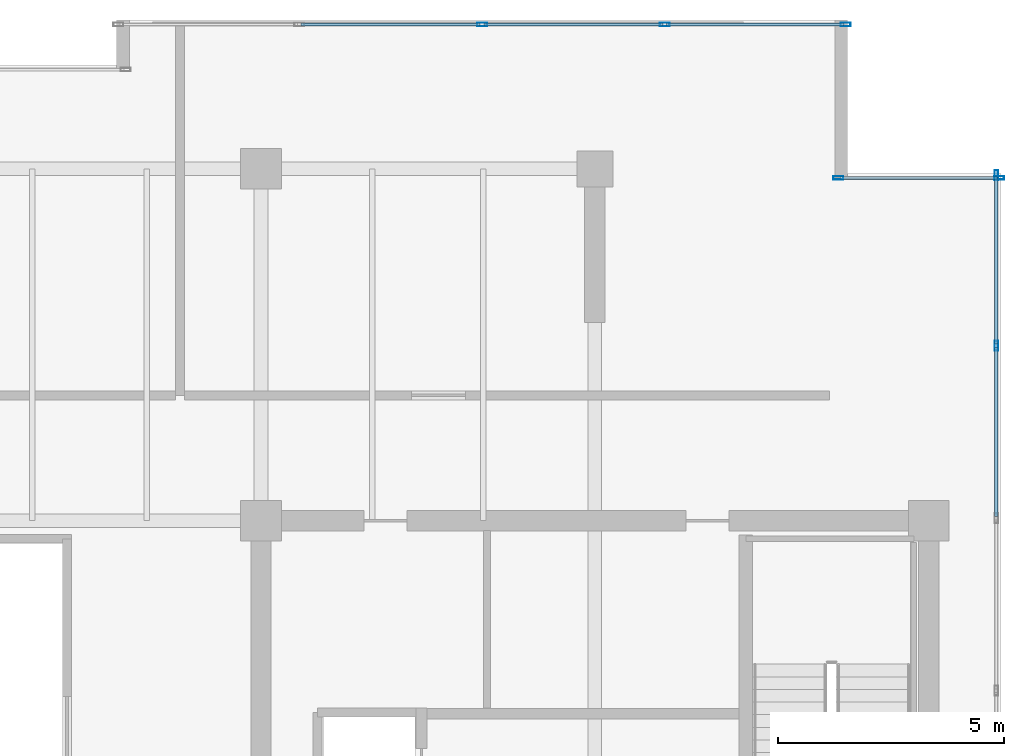
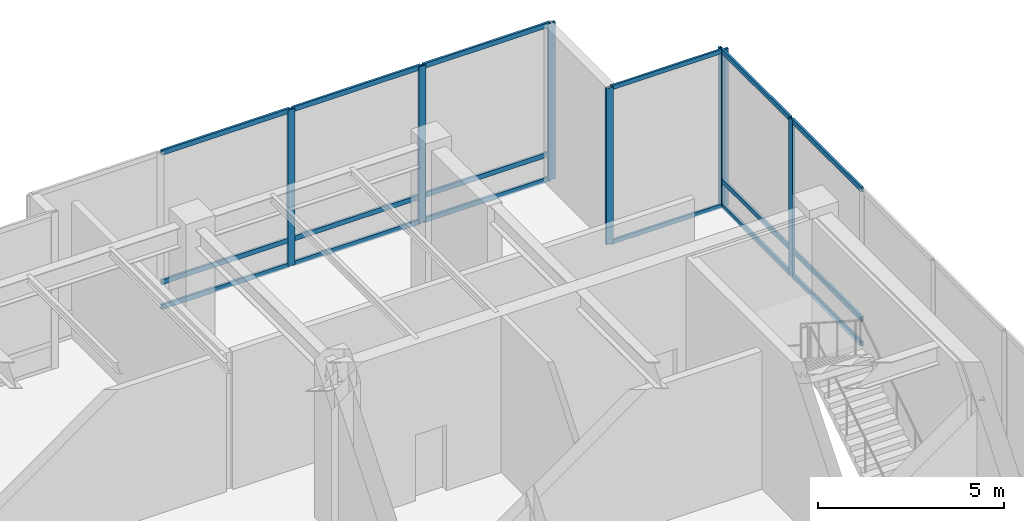
# One storey, part 22 of 30: 24 members, 3 elements without a shape of their own.
"""IFC4 building model written with IfcOpenShell, lengths in metres."""

import ifcopenshell
import ifcopenshell.guid

model = None  # the IFC model being written
_history = None  # IfcOwnerHistory: only IFC2X3 demands one
_inside = {}  # id of a spatial element -> (the spatial element, [elements in it])
_under = {}  # id of a project, library or spatial element -> (it, [spatial elements below it])
_declared = {}  # id of a project -> (the project, [libraries it declares])
_typed = {}  # id of a type object -> (the type object, [elements of that type])
_made_of = {}  # id of a material, layer set ... -> (it, [elements and type objects made of it])


def new_model(schema):
    """Start an empty IFC model of exactly this schema.

    Asked for "IFC4X3", IfcOpenShell would pick the latest addendum, in which some entities
    have other attributes; the version numbers below select the first issue.
    IFC2X3 requires an IfcOwnerHistory on every rooted entity: one is made here for all.
    """
    global model, _history
    if schema == "IFC4X3":
        model = ifcopenshell.file(schema_version=(4, 3, 0, 0))
    else:
        model = ifcopenshell.file(schema=schema)
    _inside.clear()
    _under.clear()
    _declared.clear()
    _typed.clear()
    _made_of.clear()
    _history = None
    if model.schema == "IFC2X3":
        org = make("IfcOrganization", Name="unknown")
        user = make(
            "IfcPersonAndOrganization",
            ThePerson=make("IfcPerson", FamilyName="unknown"),
            TheOrganization=org,
        )
        app = make(
            "IfcApplication",
            ApplicationDeveloper=org,
            Version="unknown",
            ApplicationFullName="unknown",
            ApplicationIdentifier="unknown",
        )
        _history = make(
            "IfcOwnerHistory",
            OwningUser=user,
            OwningApplication=app,
            ChangeAction="ADDED",
            CreationDate=0,
        )
    return model


def make(cls, **values):
    """One entity of the class cls with the attributes given. An attribute that is None is left unset."""
    return model.create_entity(
        cls, **{name: value for name, value in values.items() if value is not None}
    )


def rooted(cls, **values):
    """An entity with a GlobalId (a new one), such as an element, a storey or a relation."""
    return make(cls, GlobalId=ifcopenshell.guid.new(), OwnerHistory=_history, **values)


def si_unit(unit_type, name, prefix=None):
    """IfcSIUnit, for example si_unit("LENGTHUNIT", "METRE", prefix="MILLI")."""
    return make("IfcSIUnit", UnitType=unit_type, Prefix=prefix, Name=name)


def assignment(units):
    """IfcUnitAssignment: the units of a project."""
    return None if units is None else make("IfcUnitAssignment", Units=units)


def point(xyz):
    """IfcCartesianPoint."""
    return None if xyz is None else make("IfcCartesianPoint", Coordinates=xyz)


def direction(xyz):
    """IfcDirection."""
    return None if xyz is None else make("IfcDirection", DirectionRatios=xyz)


def frame(location, z_axis=None, x_axis=None):
    """IfcAxis2Placement3D, a coordinate frame: its origin and axes. An axis left out is left unset."""
    return make(
        "IfcAxis2Placement3D",
        Location=point(location),
        Axis=direction(z_axis),
        RefDirection=direction(x_axis),
    )


def frame_2d(location, x_axis=None):
    """IfcAxis2Placement2D, a coordinate frame in the plane: its origin and x axis."""
    return make(
        "IfcAxis2Placement2D", Location=point(location), RefDirection=direction(x_axis)
    )


def origin():
    """The frame at (0, 0, 0) with its axes left unset."""
    return frame((0.0, 0.0, 0.0))


def origin_2d():
    """The frame at (0, 0) in the plane with its x axis left unset."""
    return frame_2d((0.0, 0.0))


def place(relative_to, where):
    """IfcLocalPlacement: puts the frame where relative to a parent placement (None: the world)."""
    return make(
        "IfcLocalPlacement", PlacementRelTo=relative_to, RelativePlacement=where
    )


def context(
    kind, dimensions, precision=None, world=None, true_north=None, identifier=None
):
    """IfcGeometricRepresentationContext, for example the 3D "Model" context."""
    return make(
        "IfcGeometricRepresentationContext",
        ContextIdentifier=identifier,
        ContextType=kind,
        CoordinateSpaceDimension=dimensions,
        Precision=precision,
        WorldCoordinateSystem=world,
        TrueNorth=true_north,
    )


def subcontext(parent, identifier, kind, view, scale=None):
    """IfcGeometricRepresentationSubContext, for example "Body" below "Model"."""
    return make(
        "IfcGeometricRepresentationSubContext",
        ContextIdentifier=identifier,
        ContextType=kind,
        ParentContext=parent,
        TargetScale=scale,
        TargetView=view,
    )


def project(units=None, contexts=None):
    """IfcProject with its units and contexts."""
    return rooted(
        "IfcProject",
        Name="project",
        RepresentationContexts=contexts,
        UnitsInContext=assignment(units),
    )


def spatial(cls, under=None, at=None, **own):
    """A site, building, storey or space (cls), placed at a placement, below another one or the project."""
    s = rooted(cls, ObjectPlacement=at, **own)
    if under is not None:
        _under.setdefault(under.id(), (under, []))[1].append(s)
    return s


def profile(cls, at=None, kind="AREA", **sizes):
    """A parametric profile (cls). Its sizes go by their IFC names, for example OverallWidth=200.0."""
    return make(cls, ProfileType=kind, Position=at, **sizes)


def hollow_rectangle(**sizes):
    """IfcRectangleHollowProfileDef."""
    return profile("IfcRectangleHollowProfileDef", **sizes)


def extrude(swept, where, along, depth):
    """IfcExtrudedAreaSolid: the profile swept, set in the frame where, extruded along a direction by depth."""
    return make(
        "IfcExtrudedAreaSolid",
        SweptArea=swept,
        Position=where,
        ExtrudedDirection=direction(along),
        Depth=depth,
    )


def shape(context_of_items, identifier, shape_type, items):
    """IfcShapeRepresentation: the items that make up one representation, for example the "Body"."""
    return make(
        "IfcShapeRepresentation",
        ContextOfItems=context_of_items,
        RepresentationIdentifier=identifier,
        RepresentationType=shape_type,
        Items=items,
    )


def source(mapping_origin, context_of_items, identifier, shape_type, items):
    """IfcRepresentationMap: a shape defined once, which mapped items show again and again."""
    return make(
        "IfcRepresentationMap",
        MappingOrigin=mapping_origin,
        MappedRepresentation=shape(context_of_items, identifier, shape_type, items),
    )


def transform(
    local_origin,
    x_axis=None,
    y_axis=None,
    z_axis=None,
    scale=None,
    scale2=None,
    scale3=None,
    uniform=True,
):
    """IfcCartesianTransformationOperator3D, or its non-uniform kind. x_axis, y_axis, z_axis: its Axis1, 2, 3."""
    if uniform:
        return make(
            "IfcCartesianTransformationOperator3D",
            Axis1=direction(x_axis),
            Axis2=direction(y_axis),
            LocalOrigin=point(local_origin),
            Scale=scale,
            Axis3=direction(z_axis),
        )
    return make(
        "IfcCartesianTransformationOperator3DnonUniform",
        Axis1=direction(x_axis),
        Axis2=direction(y_axis),
        LocalOrigin=point(local_origin),
        Scale=scale,
        Axis3=direction(z_axis),
        Scale2=scale2,
        Scale3=scale3,
    )


def mapped(mapping_source, mapping_target):
    """IfcMappedItem: shows the shape of a source again, moved by a transform."""
    return make(
        "IfcMappedItem", MappingSource=mapping_source, MappingTarget=mapping_target
    )


def material(Name=None, Category=None):
    """IfcMaterial."""
    return make("IfcMaterial", Name=Name, Category=Category)


def layer(
    of_material, thickness, ventilated=None, Name=None, Category=None, Priority=None
):
    """IfcMaterialLayer: one layer of a wall or slab, of a material (None: an air gap)."""
    return make(
        "IfcMaterialLayer",
        Material=of_material,
        LayerThickness=thickness,
        IsVentilated=ventilated,
        Name=Name,
        Category=Category,
        Priority=Priority,
    )


def layer_set(layers, Name=None):
    """IfcMaterialLayerSet."""
    return make("IfcMaterialLayerSet", MaterialLayers=layers, LayerSetName=Name)


def material_profile(
    of_material, cross_section, Name=None, Category=None, Priority=None
):
    """IfcMaterialProfile: a cross section and its material."""
    return make(
        "IfcMaterialProfile",
        Name=Name,
        Material=of_material,
        Profile=cross_section,
        Priority=Priority,
        Category=Category,
    )


def profile_set(profiles, Name=None, composite=None):
    """IfcMaterialProfileSet."""
    return make(
        "IfcMaterialProfileSet",
        Name=Name,
        MaterialProfiles=profiles,
        CompositeProfile=composite,
    )


def made_of(thing, what):
    """Note that an element or type object is made of a material, layer set ...; save() writes the relation."""
    if what is not None:
        _made_of.setdefault(what.id(), (what, []))[1].append(thing)
    return thing


def type_object(cls, material=None, **own):
    """A type object (cls), such as IfcWallType, which elements share."""
    return made_of(rooted(cls, **own), material)


def type_shapes(of_type, sources):
    """Give a type object the sources (RepresentationMaps) that its elements show as mapped items."""
    of_type.RepresentationMaps = sources


def element(
    cls,
    number,
    at=None,
    inside=None,
    cuts=None,
    type_object=None,
    material=None,
    context=None,
    identifier="Body",
    shape_type=None,
    held_by="IfcProductDefinitionShape",
    body=None,
    shapes=None,
    **own,
):
    """One element of the class cls, such as IfcWall. Its Tag is "e" and its number.

    at: its placement. inside: the storey or other place that contains it. cuts: it is an
    opening in that element (IfcRelVoidsElement). A single representation is given by context,
    identifier, shape_type and body (its items); several are given by shapes. held_by: the class
    of the entity that holds the representations. save() writes the other relations.
    """
    e = rooted(cls, Tag="e%d" % number, ObjectPlacement=at, **own)
    if body is not None:
        shapes = [shape(context, identifier, shape_type, body)]
    if shapes is not None:
        e.Representation = make(held_by, Representations=shapes)
    if inside is not None:
        _inside.setdefault(inside.id(), (inside, []))[1].append(e)
    if cuts is not None:
        rooted(
            "IfcRelVoidsElement", RelatingBuildingElement=cuts, RelatedOpeningElement=e
        )
    if type_object is not None:
        _typed.setdefault(type_object.id(), (type_object, []))[1].append(e)
    return made_of(e, material)


def aggregate(whole, parts):
    """IfcRelAggregates: a whole, such as a stair, and the parts it consists of."""
    return rooted("IfcRelAggregates", RelatingObject=whole, RelatedObjects=parts)


def save(model, path):
    """Write the relations noted so far, then the file.

    IfcRelAggregates (storeys below a building ...), IfcRelContainedInSpatialStructure (elements
    in a storey), IfcRelDefinesByType, IfcRelAssociatesMaterial and IfcRelDeclares: one each for
    every whole, place, type object, material and project.
    """
    for whole, parts in _under.values():
        aggregate(whole, parts)
    for where, things in _inside.values():
        rooted(
            "IfcRelContainedInSpatialStructure",
            RelatedElements=things,
            RelatingStructure=where,
        )
    for kind, things in _typed.values():
        rooted("IfcRelDefinesByType", RelatedObjects=things, RelatingType=kind)
    for what, things in _made_of.values():
        rooted("IfcRelAssociatesMaterial", RelatedObjects=things, RelatingMaterial=what)
    for by, libraries in _declared.values():
        rooted("IfcRelDeclares", RelatingContext=by, RelatedDefinitions=libraries)
    model.write(path)


model = new_model("IFC4")

# Units and contexts
model_context = context("Model", 3, precision=1e-05, world=origin(), true_north=direction((0.0, 1.0)))
body_context = subcontext(model_context, "Body", "Model", "MODEL_VIEW")
ifc_project = project(units=[si_unit("LENGTHUNIT", "METRE"), si_unit("AREAUNIT", "SQUARE_METRE"), si_unit("VOLUMEUNIT", "CUBIC_METRE"), si_unit("PLANEANGLEUNIT", "RADIAN"), si_unit("MASSUNIT", "GRAM", prefix="KILO")], contexts=[model_context])

# Site, building, storey
site_placement = place(None, origin())
site = spatial("IfcSite", under=ifc_project, at=site_placement, CompositionType="ELEMENT")
building_placement = place(site_placement, origin())
building = spatial("IfcBuilding", under=site, at=building_placement, Name="Haelvirn Gate Laboratories", CompositionType="ELEMENT")
storey_placement = place(building_placement, frame((0.0, 0.0, 327.0)))
storey = spatial("IfcBuildingStorey", under=building, at=storey_placement, Name="L78", CompositionType="ELEMENT", Elevation=327.0)

# Curtain wall, members
ifc_material_1 = material(Name="Anodised bronze unitised aluminium & triple low-E glass", Category="aluminium")
ifc_layer_1 = layer(ifc_material_1, 0.181884765625, Name="CW-SYS-5")
ifc_layer_set_1 = layer_set([ifc_layer_1], Name="Anodised bronze unitised aluminium & triple low-E glass")
curtain_wall_type_1 = type_object("IfcCurtainWallType", Name="CW-SYS-5", PredefinedType="NOTDEFINED", material=ifc_layer_set_1)
curtain_wall_1_placement = place(storey_placement, origin())
curtain_wall_1 = element("IfcCurtainWall", 1, at=curtain_wall_1_placement, inside=storey, type_object=curtain_wall_type_1, Name="L78 Unitised Curtain Wall CW-L78-P0-E08-1", PredefinedType="NOTDEFINED")
ifc_material_2 = material(Name="Extruded aluminium 6063-T6 (anodised bronze)", Category="aluminium")
ifc_material_profile_1 = material_profile(ifc_material_2, hollow_rectangle(XDim=0.06494140625, YDim=0.139892578125, WallThickness=0.00390625, at=origin_2d()), Name="CWT-140x65x4")
ifc_profile_set_1 = profile_set([ifc_material_profile_1], Name="Extruded aluminium 6063-T6 (anodised bronze)")
member_type_1 = type_object("IfcMemberType", Name="CWT-T140", PredefinedType="USERDEFINED", material=ifc_profile_set_1)
shared_shape_1 = source(origin(), body_context, "Body", "SweptSolid", [
    extrude(hollow_rectangle(XDim=0.06494140625, YDim=0.139892578125, WallThickness=0.00390625, at=origin_2d()), origin(), (0.0, 0.0, 1.0), 3.47998046875),
])
type_shapes(member_type_1, [shared_shape_1])
member_1_placement = place(storey_placement, frame((65.43994140625, 41.39990234375, 0.032470703125), z_axis=(1.0, 0.0, 0.0), x_axis=(0.0, 1.0, 0.0)))
member_1 = element("IfcMember", 2, at=member_1_placement, type_object=member_type_1, Name="CW5 transom 1.1", ObjectType="TRANSOM", PredefinedType="USERDEFINED", context=body_context, shape_type="MappedRepresentation", body=[
    mapped(shared_shape_1, transform((0.0, 0.0, 0.0), scale=1.0)),
])
member_2_placement = place(storey_placement, frame((65.43994140625, 41.39990234375, 5.08740234375), z_axis=(1.0, 0.0, 0.0), x_axis=(0.0, 1.0, 0.0)))
member_2 = element("IfcMember", 3, at=member_2_placement, type_object=member_type_1, Name="CW5 transom 1.2", ObjectType="TRANSOM", PredefinedType="USERDEFINED", context=body_context, shape_type="MappedRepresentation", body=[
    mapped(shared_shape_1, transform((0.0, 0.0, 0.0), scale=1.0)),
])

ifc_layer_2 = layer(ifc_material_1, 0.19189453125, Name="CW-SYS-6")
ifc_layer_set_2 = layer_set([ifc_layer_2], Name="Anodised bronze unitised aluminium & triple low-E glass")
curtain_wall_type_2 = type_object("IfcCurtainWallType", Name="CW-SYS-6", PredefinedType="NOTDEFINED", material=ifc_layer_set_2)
curtain_wall_2_placement = place(storey_placement, origin())
curtain_wall_2 = element("IfcCurtainWall", 4, at=curtain_wall_2_placement, inside=storey, type_object=curtain_wall_type_2, Name="L78 Unitised Curtain Wall CW-L78-P0-E07", PredefinedType="NOTDEFINED")
ifc_material_profile_2 = material_profile(ifc_material_2, hollow_rectangle(XDim=0.080078125, YDim=0.219970703125, WallThickness=0.006103515625, at=origin_2d()), Name="CWM-220x80x6")
ifc_profile_set_2 = profile_set([ifc_material_profile_2], Name="Extruded aluminium 6063-T6 (anodised bronze)")
member_type_2 = type_object("IfcMemberType", Name="CWM-T220", PredefinedType="MULLION", material=ifc_profile_set_2)
shared_shape_2 = source(origin(), body_context, "Body", "SweptSolid", [
    extrude(hollow_rectangle(XDim=0.080078125, YDim=0.219970703125, WallThickness=0.006103515625, at=origin_2d()), origin(), (0.0, 0.0, 1.0), 5.1201171875),
])
type_shapes(member_type_2, [shared_shape_2])
member_3_placement = place(storey_placement, frame((68.89990234375, 37.677734375, 0.0), z_axis=(0.0, 0.0, 1.0), x_axis=(-1.0, 0.0, 0.0)))
member_3 = element("IfcMember", 5, at=member_3_placement, type_object=member_type_2, Name="CW6 mullion 9", PredefinedType="MULLION", context=body_context, shape_type="MappedRepresentation", body=[
    mapped(shared_shape_2, transform((0.0, 0.0, 0.0), scale=1.0)),
])
member_4_placement = place(storey_placement, frame((68.89990234375, 41.4599609375, 0.0), z_axis=(0.0, 0.0, 1.0), x_axis=(-1.0, 0.0, 0.0)))
member_4 = element("IfcMember", 6, at=member_4_placement, type_object=member_type_2, Name="CW6 mullion 10", PredefinedType="MULLION", context=body_context, shape_type="MappedRepresentation", body=[
    mapped(shared_shape_2, transform((0.0, 0.0, 0.0), scale=1.0)),
])

# Member
member_5_placement = place(storey_placement, frame((65.39990234375, 41.39990234375, 0.0), z_axis=(0.0, 0.0, 1.0), x_axis=(0.0, 1.0, 0.0)))
member_5 = element("IfcMember", 7, at=member_5_placement, type_object=member_type_2, Name="CW5 mullion 1", PredefinedType="MULLION", context=body_context, shape_type="MappedRepresentation", body=[
    mapped(shared_shape_2, transform((0.0, 0.0, 0.0), scale=1.0)),
])

member_6_placement = place(storey_placement, frame((68.9599609375, 41.39990234375, 0.0), z_axis=(0.0, 0.0, 1.0), x_axis=(0.0, 1.0, 0.0)))
member_6 = element("IfcMember", 8, at=member_6_placement, type_object=member_type_2, Name="CW5 mullion 2", PredefinedType="MULLION", context=body_context, shape_type="MappedRepresentation", body=[
    mapped(shared_shape_2, transform((0.0, 0.0, 0.0), scale=1.0)),
])

aggregate(curtain_wall_1, [member_5, member_6, member_1, member_2])

# Curtain wall, members
curtain_wall_3_placement = place(storey_placement, origin())
curtain_wall_3 = element("IfcCurtainWall", 9, at=curtain_wall_3_placement, inside=storey, type_object=curtain_wall_type_2, Name="L78 Unitised Curtain Wall CW-L78-P0-E10-1", PredefinedType="NOTDEFINED")
member_7_placement = place(storey_placement, frame((57.5, 44.800048828125, 0.0), z_axis=(0.0, 0.0, 1.0), x_axis=(0.0, 1.0, 0.0)))
member_7 = element("IfcMember", 10, at=member_7_placement, type_object=member_type_2, Name="CW6 mullion 3", PredefinedType="MULLION", context=body_context, shape_type="MappedRepresentation", body=[
    mapped(shared_shape_2, transform((0.0, 0.0, 0.0), scale=1.0)),
])
member_8_placement = place(storey_placement, frame((61.550048828125, 44.800048828125, 0.0), z_axis=(0.0, 0.0, 1.0), x_axis=(0.0, 1.0, 0.0)))
member_8 = element("IfcMember", 11, at=member_8_placement, type_object=member_type_2, Name="CW6 mullion 4", PredefinedType="MULLION", context=body_context, shape_type="MappedRepresentation", body=[
    mapped(shared_shape_2, transform((0.0, 0.0, 0.0), scale=1.0)),
])
member_9_placement = place(storey_placement, frame((65.56005859375, 44.800048828125, 0.0), z_axis=(0.0, 0.0, 1.0), x_axis=(0.0, 1.0, 0.0)))
member_9 = element("IfcMember", 12, at=member_9_placement, type_object=member_type_2, Name="CW6 mullion 5", PredefinedType="MULLION", context=body_context, shape_type="MappedRepresentation", body=[
    mapped(shared_shape_2, transform((0.0, 0.0, 0.0), scale=1.0)),
])
ifc_material_profile_3 = material_profile(ifc_material_2, hollow_rectangle(XDim=0.070068359375, YDim=0.159912109375, WallThickness=0.0048828125, at=origin_2d()), Name="CWT-160x70x5")
ifc_profile_set_3 = profile_set([ifc_material_profile_3], Name="Extruded aluminium 6063-T6 (anodised bronze)")
member_type_3 = type_object("IfcMemberType", Name="CWT-T160", PredefinedType="USERDEFINED", material=ifc_profile_set_3)
shared_shape_3 = source(origin(), body_context, "Body", "SweptSolid", [
    extrude(hollow_rectangle(XDim=0.070068359375, YDim=0.159912109375, WallThickness=0.0048828125, at=origin_2d()), origin(), (0.0, 0.0, 1.0), 3.929931640625),
])
member_10_placement = place(storey_placement, frame((61.590087890625, 44.800048828125, 0.034912109375), z_axis=(1.0, 0.0, 0.0), x_axis=(0.0, 1.0, 0.0)))
member_10 = element("IfcMember", 13, at=member_10_placement, type_object=member_type_3, Name="CW6 transom 4.1", ObjectType="TRANSOM", PredefinedType="USERDEFINED", context=body_context, shape_type="MappedRepresentation", body=[
    mapped(shared_shape_3, transform((0.0, 0.0, 0.0), scale=1.0)),
])
member_11_placement = place(storey_placement, frame((61.590087890625, 44.800048828125, 0.85009765625), z_axis=(1.0, 0.0, 0.0), x_axis=(0.0, 1.0, 0.0)))
member_11 = element("IfcMember", 14, at=member_11_placement, type_object=member_type_3, Name="CW6 transom 4.2", ObjectType="TRANSOM", PredefinedType="USERDEFINED", context=body_context, shape_type="MappedRepresentation", body=[
    mapped(shared_shape_3, transform((0.0, 0.0, 0.0), scale=1.0)),
])
member_12_placement = place(storey_placement, frame((61.590087890625, 44.800048828125, 5.0849609375), z_axis=(1.0, 0.0, 0.0), x_axis=(0.0, 1.0, 0.0)))
member_12 = element("IfcMember", 15, at=member_12_placement, type_object=member_type_3, Name="CW6 transom 4.3", ObjectType="TRANSOM", PredefinedType="USERDEFINED", context=body_context, shape_type="MappedRepresentation", body=[
    mapped(shared_shape_3, transform((0.0, 0.0, 0.0), scale=1.0)),
])
shared_shape_4 = source(origin(), body_context, "Body", "SweptSolid", [
    extrude(hollow_rectangle(XDim=0.070068359375, YDim=0.159912109375, WallThickness=0.0048828125, at=origin_2d()), origin(), (0.0, 0.0, 1.0), 3.969970703125),
])
member_13_placement = place(storey_placement, frame((53.489990234375, 44.800048828125, 0.034912109375), z_axis=(1.0, 0.0, 0.0), x_axis=(0.0, 1.0, 0.0)))
member_13 = element("IfcMember", 16, at=member_13_placement, type_object=member_type_3, Name="CW6 transom 2.1", ObjectType="TRANSOM", PredefinedType="USERDEFINED", context=body_context, shape_type="MappedRepresentation", body=[
    mapped(shared_shape_4, transform((0.0, 0.0, 0.0), scale=1.0)),
])
member_14_placement = place(storey_placement, frame((53.489990234375, 44.800048828125, 0.85009765625), z_axis=(1.0, 0.0, 0.0), x_axis=(0.0, 1.0, 0.0)))
member_14 = element("IfcMember", 17, at=member_14_placement, type_object=member_type_3, Name="CW6 transom 2.2", ObjectType="TRANSOM", PredefinedType="USERDEFINED", context=body_context, shape_type="MappedRepresentation", body=[
    mapped(shared_shape_4, transform((0.0, 0.0, 0.0), scale=1.0)),
])
member_15_placement = place(storey_placement, frame((53.489990234375, 44.800048828125, 5.0849609375), z_axis=(1.0, 0.0, 0.0), x_axis=(0.0, 1.0, 0.0)))
member_15 = element("IfcMember", 18, at=member_15_placement, type_object=member_type_3, Name="CW6 transom 2.3", ObjectType="TRANSOM", PredefinedType="USERDEFINED", context=body_context, shape_type="MappedRepresentation", body=[
    mapped(shared_shape_4, transform((0.0, 0.0, 0.0), scale=1.0)),
])
member_16_placement = place(storey_placement, frame((57.5400390625, 44.800048828125, 0.034912109375), z_axis=(1.0, 0.0, 0.0), x_axis=(0.0, 1.0, 0.0)))
member_16 = element("IfcMember", 19, at=member_16_placement, type_object=member_type_3, Name="CW6 transom 3.1", ObjectType="TRANSOM", PredefinedType="USERDEFINED", context=body_context, shape_type="MappedRepresentation", body=[
    mapped(shared_shape_4, transform((0.0, 0.0, 0.0), scale=1.0)),
])
member_17_placement = place(storey_placement, frame((57.5400390625, 44.800048828125, 0.85009765625), z_axis=(1.0, 0.0, 0.0), x_axis=(0.0, 1.0, 0.0)))
member_17 = element("IfcMember", 20, at=member_17_placement, type_object=member_type_3, Name="CW6 transom 3.2", ObjectType="TRANSOM", PredefinedType="USERDEFINED", context=body_context, shape_type="MappedRepresentation", body=[
    mapped(shared_shape_4, transform((0.0, 0.0, 0.0), scale=1.0)),
])
member_18_placement = place(storey_placement, frame((57.5400390625, 44.800048828125, 5.0849609375), z_axis=(1.0, 0.0, 0.0), x_axis=(0.0, 1.0, 0.0)))
member_18 = element("IfcMember", 21, at=member_18_placement, type_object=member_type_3, Name="CW6 transom 3.3", ObjectType="TRANSOM", PredefinedType="USERDEFINED", context=body_context, shape_type="MappedRepresentation", body=[
    mapped(shared_shape_4, transform((0.0, 0.0, 0.0), scale=1.0)),
])
aggregate(curtain_wall_3, [member_7, member_8, member_9, member_13, member_14, member_15, member_16, member_17, member_18, member_10, member_11, member_12])

# Member
shared_shape_5 = source(origin(), body_context, "Body", "SweptSolid", [
    extrude(hollow_rectangle(XDim=0.070068359375, YDim=0.159912109375, WallThickness=0.0048828125, at=origin_2d()), origin(), (0.0, 0.0, 1.0), 3.7421875),
])
member_19_placement = place(storey_placement, frame((68.89990234375, 33.8955078125, 0.034912109375), z_axis=(0.0, 1.0, 0.0), x_axis=(-1.0, 0.0, 0.0)))
member_19 = element("IfcMember", 22, at=member_19_placement, type_object=member_type_3, Name="CW6 transom 8.1", ObjectType="TRANSOM", PredefinedType="USERDEFINED", context=body_context, shape_type="MappedRepresentation", body=[
    mapped(shared_shape_5, transform((0.0, 0.0, 0.0), scale=1.0)),
])

member_20_placement = place(storey_placement, frame((68.89990234375, 33.8955078125, 0.85009765625), z_axis=(0.0, 1.0, 0.0), x_axis=(-1.0, 0.0, 0.0)))
member_20 = element("IfcMember", 23, at=member_20_placement, type_object=member_type_3, Name="CW6 transom 8.2", ObjectType="TRANSOM", PredefinedType="USERDEFINED", context=body_context, shape_type="MappedRepresentation", body=[
    mapped(shared_shape_5, transform((0.0, 0.0, 0.0), scale=1.0)),
])

member_21_placement = place(storey_placement, frame((68.89990234375, 33.8955078125, 5.0849609375), z_axis=(0.0, 1.0, 0.0), x_axis=(-1.0, 0.0, 0.0)))
member_21 = element("IfcMember", 24, at=member_21_placement, type_object=member_type_3, Name="CW6 transom 8.3", ObjectType="TRANSOM", PredefinedType="USERDEFINED", context=body_context, shape_type="MappedRepresentation", body=[
    mapped(shared_shape_5, transform((0.0, 0.0, 0.0), scale=1.0)),
])

shared_shape_6 = source(origin(), body_context, "Body", "SweptSolid", [
    extrude(hollow_rectangle(XDim=0.070068359375, YDim=0.159912109375, WallThickness=0.0048828125, at=origin_2d()), origin(), (0.0, 0.0, 1.0), 3.7021484375),
])
type_shapes(member_type_3, [shared_shape_3, shared_shape_4, shared_shape_5, shared_shape_6])
member_22_placement = place(storey_placement, frame((68.89990234375, 37.7177734375, 0.034912109375), z_axis=(0.0, 1.0, 0.0), x_axis=(-1.0, 0.0, 0.0)))
member_22 = element("IfcMember", 25, at=member_22_placement, type_object=member_type_3, Name="CW6 transom 9.1", ObjectType="TRANSOM", PredefinedType="USERDEFINED", context=body_context, shape_type="MappedRepresentation", body=[
    mapped(shared_shape_6, transform((0.0, 0.0, 0.0), scale=1.0)),
])

member_23_placement = place(storey_placement, frame((68.89990234375, 37.7177734375, 0.85009765625), z_axis=(0.0, 1.0, 0.0), x_axis=(-1.0, 0.0, 0.0)))
member_23 = element("IfcMember", 26, at=member_23_placement, type_object=member_type_3, Name="CW6 transom 9.2", ObjectType="TRANSOM", PredefinedType="USERDEFINED", context=body_context, shape_type="MappedRepresentation", body=[
    mapped(shared_shape_6, transform((0.0, 0.0, 0.0), scale=1.0)),
])

member_24_placement = place(storey_placement, frame((68.89990234375, 37.7177734375, 5.0849609375), z_axis=(0.0, 1.0, 0.0), x_axis=(-1.0, 0.0, 0.0)))
member_24 = element("IfcMember", 27, at=member_24_placement, type_object=member_type_3, Name="CW6 transom 9.3", ObjectType="TRANSOM", PredefinedType="USERDEFINED", context=body_context, shape_type="MappedRepresentation", body=[
    mapped(shared_shape_6, transform((0.0, 0.0, 0.0), scale=1.0)),
])

aggregate(curtain_wall_2, [member_3, member_4, member_19, member_20, member_21, member_22, member_23, member_24])

save(model, "model.ifc")
